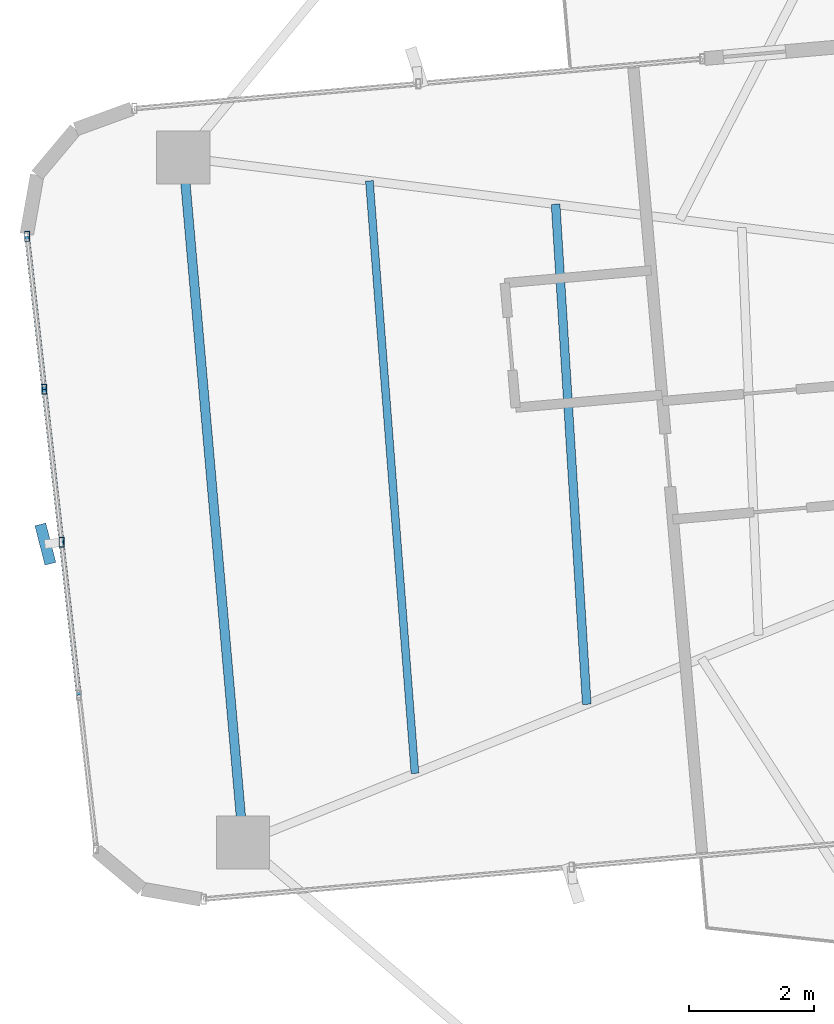
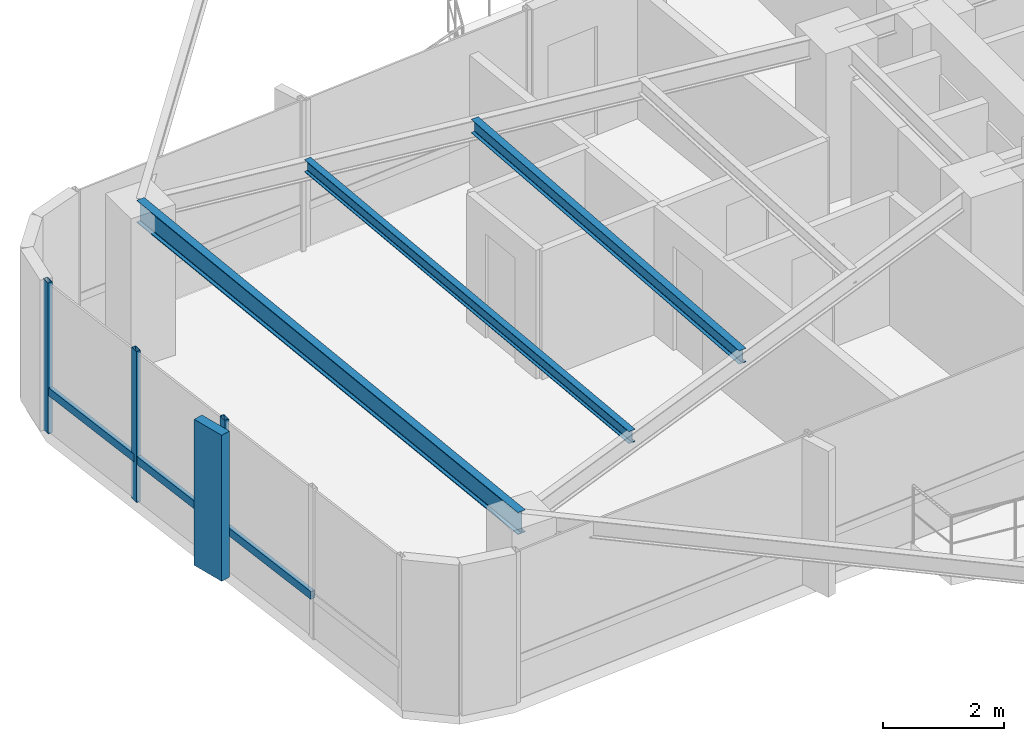
# One storey, part 8 of 24: 7 members, 3 beams, 1 element without a shape of its own.
"""IFC4 building model written with IfcOpenShell, lengths in metres."""

import ifcopenshell
import ifcopenshell.guid

model = None  # the IFC model being written
_history = None  # IfcOwnerHistory: only IFC2X3 demands one
_inside = {}  # id of a spatial element -> (the spatial element, [elements in it])
_under = {}  # id of a project, library or spatial element -> (it, [spatial elements below it])
_declared = {}  # id of a project -> (the project, [libraries it declares])
_typed = {}  # id of a type object -> (the type object, [elements of that type])
_made_of = {}  # id of a material, layer set ... -> (it, [elements and type objects made of it])


def new_model(schema):
    """Start an empty IFC model of exactly this schema.

    Asked for "IFC4X3", IfcOpenShell would pick the latest addendum, in which some entities
    have other attributes; the version numbers below select the first issue.
    IFC2X3 requires an IfcOwnerHistory on every rooted entity: one is made here for all.
    """
    global model, _history
    if schema == "IFC4X3":
        model = ifcopenshell.file(schema_version=(4, 3, 0, 0))
    else:
        model = ifcopenshell.file(schema=schema)
    _inside.clear()
    _under.clear()
    _declared.clear()
    _typed.clear()
    _made_of.clear()
    _history = None
    if model.schema == "IFC2X3":
        org = make("IfcOrganization", Name="unknown")
        user = make(
            "IfcPersonAndOrganization",
            ThePerson=make("IfcPerson", FamilyName="unknown"),
            TheOrganization=org,
        )
        app = make(
            "IfcApplication",
            ApplicationDeveloper=org,
            Version="unknown",
            ApplicationFullName="unknown",
            ApplicationIdentifier="unknown",
        )
        _history = make(
            "IfcOwnerHistory",
            OwningUser=user,
            OwningApplication=app,
            ChangeAction="ADDED",
            CreationDate=0,
        )
    return model


def make(cls, **values):
    """One entity of the class cls with the attributes given. An attribute that is None is left unset."""
    return model.create_entity(
        cls, **{name: value for name, value in values.items() if value is not None}
    )


def rooted(cls, **values):
    """An entity with a GlobalId (a new one), such as an element, a storey or a relation."""
    return make(cls, GlobalId=ifcopenshell.guid.new(), OwnerHistory=_history, **values)


def si_unit(unit_type, name, prefix=None):
    """IfcSIUnit, for example si_unit("LENGTHUNIT", "METRE", prefix="MILLI")."""
    return make("IfcSIUnit", UnitType=unit_type, Prefix=prefix, Name=name)


def assignment(units):
    """IfcUnitAssignment: the units of a project."""
    return None if units is None else make("IfcUnitAssignment", Units=units)


def point(xyz):
    """IfcCartesianPoint."""
    return None if xyz is None else make("IfcCartesianPoint", Coordinates=xyz)


def direction(xyz):
    """IfcDirection."""
    return None if xyz is None else make("IfcDirection", DirectionRatios=xyz)


def frame(location, z_axis=None, x_axis=None):
    """IfcAxis2Placement3D, a coordinate frame: its origin and axes. An axis left out is left unset."""
    return make(
        "IfcAxis2Placement3D",
        Location=point(location),
        Axis=direction(z_axis),
        RefDirection=direction(x_axis),
    )


def frame_2d(location, x_axis=None):
    """IfcAxis2Placement2D, a coordinate frame in the plane: its origin and x axis."""
    return make(
        "IfcAxis2Placement2D", Location=point(location), RefDirection=direction(x_axis)
    )


def origin():
    """The frame at (0, 0, 0) with its axes left unset."""
    return frame((0.0, 0.0, 0.0))


def origin_2d():
    """The frame at (0, 0) in the plane with its x axis left unset."""
    return frame_2d((0.0, 0.0))


def place(relative_to, where):
    """IfcLocalPlacement: puts the frame where relative to a parent placement (None: the world)."""
    return make(
        "IfcLocalPlacement", PlacementRelTo=relative_to, RelativePlacement=where
    )


def context(
    kind, dimensions, precision=None, world=None, true_north=None, identifier=None
):
    """IfcGeometricRepresentationContext, for example the 3D "Model" context."""
    return make(
        "IfcGeometricRepresentationContext",
        ContextIdentifier=identifier,
        ContextType=kind,
        CoordinateSpaceDimension=dimensions,
        Precision=precision,
        WorldCoordinateSystem=world,
        TrueNorth=true_north,
    )


def subcontext(parent, identifier, kind, view, scale=None):
    """IfcGeometricRepresentationSubContext, for example "Body" below "Model"."""
    return make(
        "IfcGeometricRepresentationSubContext",
        ContextIdentifier=identifier,
        ContextType=kind,
        ParentContext=parent,
        TargetScale=scale,
        TargetView=view,
    )


def project(units=None, contexts=None):
    """IfcProject with its units and contexts."""
    return rooted(
        "IfcProject",
        Name="project",
        RepresentationContexts=contexts,
        UnitsInContext=assignment(units),
    )


def spatial(cls, under=None, at=None, **own):
    """A site, building, storey or space (cls), placed at a placement, below another one or the project."""
    s = rooted(cls, ObjectPlacement=at, **own)
    if under is not None:
        _under.setdefault(under.id(), (under, []))[1].append(s)
    return s


def profile(cls, at=None, kind="AREA", **sizes):
    """A parametric profile (cls). Its sizes go by their IFC names, for example OverallWidth=200.0."""
    return make(cls, ProfileType=kind, Position=at, **sizes)


def rectangle(**sizes):
    """IfcRectangleProfileDef."""
    return profile("IfcRectangleProfileDef", **sizes)


def hollow_rectangle(**sizes):
    """IfcRectangleHollowProfileDef."""
    return profile("IfcRectangleHollowProfileDef", **sizes)


def i_section(**sizes):
    """IfcIShapeProfileDef."""
    return profile("IfcIShapeProfileDef", **sizes)


def extrude(swept, where, along, depth):
    """IfcExtrudedAreaSolid: the profile swept, set in the frame where, extruded along a direction by depth."""
    return make(
        "IfcExtrudedAreaSolid",
        SweptArea=swept,
        Position=where,
        ExtrudedDirection=direction(along),
        Depth=depth,
    )


def shape(context_of_items, identifier, shape_type, items):
    """IfcShapeRepresentation: the items that make up one representation, for example the "Body"."""
    return make(
        "IfcShapeRepresentation",
        ContextOfItems=context_of_items,
        RepresentationIdentifier=identifier,
        RepresentationType=shape_type,
        Items=items,
    )


def source(mapping_origin, context_of_items, identifier, shape_type, items):
    """IfcRepresentationMap: a shape defined once, which mapped items show again and again."""
    return make(
        "IfcRepresentationMap",
        MappingOrigin=mapping_origin,
        MappedRepresentation=shape(context_of_items, identifier, shape_type, items),
    )


def transform(
    local_origin,
    x_axis=None,
    y_axis=None,
    z_axis=None,
    scale=None,
    scale2=None,
    scale3=None,
    uniform=True,
):
    """IfcCartesianTransformationOperator3D, or its non-uniform kind. x_axis, y_axis, z_axis: its Axis1, 2, 3."""
    if uniform:
        return make(
            "IfcCartesianTransformationOperator3D",
            Axis1=direction(x_axis),
            Axis2=direction(y_axis),
            LocalOrigin=point(local_origin),
            Scale=scale,
            Axis3=direction(z_axis),
        )
    return make(
        "IfcCartesianTransformationOperator3DnonUniform",
        Axis1=direction(x_axis),
        Axis2=direction(y_axis),
        LocalOrigin=point(local_origin),
        Scale=scale,
        Axis3=direction(z_axis),
        Scale2=scale2,
        Scale3=scale3,
    )


def mapped(mapping_source, mapping_target):
    """IfcMappedItem: shows the shape of a source again, moved by a transform."""
    return make(
        "IfcMappedItem", MappingSource=mapping_source, MappingTarget=mapping_target
    )


def material(Name=None, Category=None):
    """IfcMaterial."""
    return make("IfcMaterial", Name=Name, Category=Category)


def material_profile(
    of_material, cross_section, Name=None, Category=None, Priority=None
):
    """IfcMaterialProfile: a cross section and its material."""
    return make(
        "IfcMaterialProfile",
        Name=Name,
        Material=of_material,
        Profile=cross_section,
        Priority=Priority,
        Category=Category,
    )


def profile_set(profiles, Name=None, composite=None):
    """IfcMaterialProfileSet."""
    return make(
        "IfcMaterialProfileSet",
        Name=Name,
        MaterialProfiles=profiles,
        CompositeProfile=composite,
    )


def made_of(thing, what):
    """Note that an element or type object is made of a material, layer set ...; save() writes the relation."""
    if what is not None:
        _made_of.setdefault(what.id(), (what, []))[1].append(thing)
    return thing


def type_object(cls, material=None, **own):
    """A type object (cls), such as IfcWallType, which elements share."""
    return made_of(rooted(cls, **own), material)


def element(
    cls,
    number,
    at=None,
    inside=None,
    cuts=None,
    type_object=None,
    material=None,
    context=None,
    identifier="Body",
    shape_type=None,
    held_by="IfcProductDefinitionShape",
    body=None,
    shapes=None,
    **own,
):
    """One element of the class cls, such as IfcWall. Its Tag is "e" and its number.

    at: its placement. inside: the storey or other place that contains it. cuts: it is an
    opening in that element (IfcRelVoidsElement). A single representation is given by context,
    identifier, shape_type and body (its items); several are given by shapes. held_by: the class
    of the entity that holds the representations. save() writes the other relations.
    """
    e = rooted(cls, Tag="e%d" % number, ObjectPlacement=at, **own)
    if body is not None:
        shapes = [shape(context, identifier, shape_type, body)]
    if shapes is not None:
        e.Representation = make(held_by, Representations=shapes)
    if inside is not None:
        _inside.setdefault(inside.id(), (inside, []))[1].append(e)
    if cuts is not None:
        rooted(
            "IfcRelVoidsElement", RelatingBuildingElement=cuts, RelatedOpeningElement=e
        )
    if type_object is not None:
        _typed.setdefault(type_object.id(), (type_object, []))[1].append(e)
    return made_of(e, material)


def aggregate(whole, parts):
    """IfcRelAggregates: a whole, such as a stair, and the parts it consists of."""
    return rooted("IfcRelAggregates", RelatingObject=whole, RelatedObjects=parts)


def save(model, path):
    """Write the relations noted so far, then the file.

    IfcRelAggregates (storeys below a building ...), IfcRelContainedInSpatialStructure (elements
    in a storey), IfcRelDefinesByType, IfcRelAssociatesMaterial and IfcRelDeclares: one each for
    every whole, place, type object, material and project.
    """
    for whole, parts in _under.values():
        aggregate(whole, parts)
    for where, things in _inside.values():
        rooted(
            "IfcRelContainedInSpatialStructure",
            RelatedElements=things,
            RelatingStructure=where,
        )
    for kind, things in _typed.values():
        rooted("IfcRelDefinesByType", RelatedObjects=things, RelatingType=kind)
    for what, things in _made_of.values():
        rooted("IfcRelAssociatesMaterial", RelatedObjects=things, RelatingMaterial=what)
    for by, libraries in _declared.values():
        rooted("IfcRelDeclares", RelatingContext=by, RelatedDefinitions=libraries)
    model.write(path)


model = new_model("IFC4")

# Units and contexts
model_context = context("Model", 3, precision=1e-05, world=origin(), true_north=direction((0.0, 1.0)))
body_context = subcontext(model_context, "Body", "Model", "MODEL_VIEW")
ifc_project = project(units=[si_unit("LENGTHUNIT", "METRE"), si_unit("AREAUNIT", "SQUARE_METRE"), si_unit("VOLUMEUNIT", "CUBIC_METRE"), si_unit("PLANEANGLEUNIT", "RADIAN"), si_unit("MASSUNIT", "GRAM", prefix="KILO")], contexts=[model_context])

# Site, building, storey
site_placement = place(None, origin())
site = spatial("IfcSite", under=ifc_project, at=site_placement, CompositionType="ELEMENT")
building_placement = place(site_placement, origin())
building = spatial("IfcBuilding", under=site, at=building_placement, Name="Sahyath Konkavel Grand Hotel", CompositionType="ELEMENT")
storey_placement = place(building_placement, frame((0.0, 0.0, 167.35009765625)))
storey = spatial("IfcBuildingStorey", under=building, at=storey_placement, Name="L46", CompositionType="ELEMENT", Elevation=167.35009765625)

# Beams
ifc_material_1 = material(Name="Steel E350", Category="steel")
ifc_material_profile_1 = material_profile(ifc_material_1, i_section(OverallWidth=0.14990234375, OverallDepth=0.449951171875, WebThickness=0.009521484375, FlangeThickness=0.017333984375, FilletRadius=0.014892578125, at=origin_2d()), Name="ISMB 450")
ifc_profile_set_1 = profile_set([ifc_material_profile_1], Name="Steel E350")
beam_type_1 = type_object("IfcBeamType", Name="BM-ISMB450", PredefinedType="BEAM", material=ifc_profile_set_1)
shared_shape_1 = source(origin(), body_context, "Body", "SweptSolid", [
    extrude(i_section(OverallWidth=0.14990234375, OverallDepth=0.449951171875, WebThickness=0.009521484375, FlangeThickness=0.017333984375, FilletRadius=0.014892578125, at=origin_2d()), origin(), (0.0, 0.0, 1.0), 11.0),
])
beam_1_placement = place(storey_placement, frame((-17.912841796875, 3.953857421875, 2.824951171875), z_axis=(0.087157314015, -0.996194560622, 0.0), x_axis=(0.996194560622, 0.087157314015, 0.0)))
element("IfcBeam", 1, at=beam_1_placement, inside=storey, type_object=beam_type_1, Name="L46 Wing Tip Edge Beam W", PredefinedType="BEAM", context=body_context, shape_type="MappedRepresentation", body=[
    mapped(shared_shape_1, transform((0.0, 0.0, 0.0), scale=1.0)),
])
ifc_material_profile_2 = material_profile(ifc_material_1, i_section(OverallWidth=0.139892578125, OverallDepth=0.27490234375, WebThickness=0.00634765625, FlangeThickness=0.0087890625, FilletRadius=0.012939453125, at=origin_2d()), Name="ISLB 275")
ifc_profile_set_2 = profile_set([ifc_material_profile_2], Name="Steel E350")
beam_type_2 = type_object("IfcBeamType", Name="BM-ISLB275", PredefinedType="BEAM", material=ifc_profile_set_2)
shared_shape_2 = source(origin(), body_context, "Body", "SweptSolid", [
    extrude(i_section(OverallWidth=0.139892578125, OverallDepth=0.27490234375, WebThickness=0.00634765625, FlangeThickness=0.0087890625, FilletRadius=0.012939453125, at=origin_2d()), origin(), (0.0, 0.0, 1.0), 8.017822265625),
])
beam_2_placement = place(storey_placement, frame((-11.95458984375, 3.2080078125, 2.912353515625), z_axis=(0.062179233264, -0.998064999362, 0.0), x_axis=(0.998064999362, 0.062179233264, 0.0)))
element("IfcBeam", 2, at=beam_2_placement, inside=storey, type_object=beam_type_2, Name="L46 Secondary Floor Beam W-2", PredefinedType="BEAM", context=body_context, shape_type="MappedRepresentation", body=[
    mapped(shared_shape_2, transform((0.0, 0.0, 0.0), scale=1.0)),
])
ifc_material_profile_3 = material_profile(ifc_material_1, i_section(OverallWidth=0.125, OverallDepth=0.25, WebThickness=0.0068359375, FlangeThickness=0.012451171875, FilletRadius=0.012939453125, at=origin_2d()), Name="ISMB 250")
ifc_profile_set_3 = profile_set([ifc_material_profile_3], Name="Steel E350")
beam_type_3 = type_object("IfcBeamType", Name="BM-ISMB250", PredefinedType="BEAM", material=ifc_profile_set_3)
shared_shape_3 = source(origin(), body_context, "Body", "SweptSolid", [
    extrude(i_section(OverallWidth=0.125, OverallDepth=0.25, WebThickness=0.0068359375, FlangeThickness=0.012451171875, FilletRadius=0.012939453125, at=origin_2d()), origin(), (0.0, 0.0, 1.0), 9.508056640625),
])
beam_3_placement = place(storey_placement, frame((-14.93359375, 3.580810546875, 2.9248046875), z_axis=(0.076619921029, -0.997060373148, 0.0), x_axis=(0.997060373148, 0.076619921029, 0.0)))
element("IfcBeam", 3, at=beam_3_placement, inside=storey, type_object=beam_type_3, Name="L46 Secondary Floor Beam W-3", PredefinedType="BEAM", context=body_context, shape_type="MappedRepresentation", body=[
    mapped(shared_shape_3, transform((0.0, 0.0, 0.0), scale=1.0)),
])

# Curtain wall, members
ifc_material_2 = material(Name="Anodised Bronze Aluminium & Low-E Glazing", Category="aluminium")
curtain_wall_type = type_object("IfcCurtainWallType", Name="CW-ZONE3", PredefinedType="NOTDEFINED", material=ifc_material_2)
curtain_wall_placement = place(storey_placement, origin())
curtain_wall = element("IfcCurtainWall", 4, at=curtain_wall_placement, inside=storey, type_object=curtain_wall_type, Name="L46 Unitised Curtain Wall F20", PredefinedType="NOTDEFINED")
ifc_material_3 = material(Name="Anodised Bronze Aluminium", Category="aluminium")
ifc_material_profile_4 = material_profile(ifc_material_3, hollow_rectangle(XDim=0.080078125, YDim=0.159912109375, WallThickness=0.006103515625, at=origin_2d()), Name="RHS 160x80x6")
ifc_profile_set_4 = profile_set([ifc_material_profile_4], Name="Anodised Bronze Aluminium")
member_type_1 = type_object("IfcMemberType", Name="CW-MUL-160", PredefinedType="MULLION", material=ifc_profile_set_4)
shared_shape_4 = source(origin(), body_context, "Body", "SweptSolid", [
    extrude(hollow_rectangle(XDim=0.080078125, YDim=0.159912109375, WallThickness=0.006103515625, at=origin_2d()), origin(), (0.0, 0.0, 1.0), 3.0498046875),
])
member_1_placement = place(storey_placement, frame((-20.4111328125, 2.69140625, 0.0), z_axis=(0.0, 0.0, 1.0), x_axis=(1.0, 0.0, 0.0)))
member_1 = element("IfcMember", 5, at=member_1_placement, type_object=member_type_1, Name="L46 Curtain Wall Mullion F20-0", PredefinedType="MULLION", context=body_context, shape_type="MappedRepresentation", body=[
    mapped(shared_shape_4, transform((0.0, 0.0, 0.0), scale=1.0)),
])
member_2_placement = place(storey_placement, frame((-20.135498046875, 0.24462890625, 0.0), z_axis=(0.0, 0.0, 1.0), x_axis=(1.0, 0.0, 0.0)))
member_2 = element("IfcMember", 6, at=member_2_placement, type_object=member_type_1, Name="L46 Curtain Wall Mullion F20-1", PredefinedType="MULLION", context=body_context, shape_type="MappedRepresentation", body=[
    mapped(shared_shape_4, transform((0.0, 0.0, 0.0), scale=1.0)),
])
member_3_placement = place(storey_placement, frame((-19.859619140625, -2.201904296875, 0.0), z_axis=(0.0, 0.0, 1.0), x_axis=(1.0, 0.0, 0.0)))
member_3 = element("IfcMember", 7, at=member_3_placement, type_object=member_type_1, Name="L46 Curtain Wall Mullion F20-2", PredefinedType="MULLION", context=body_context, shape_type="MappedRepresentation", body=[
    mapped(shared_shape_4, transform((0.0, 0.0, 0.0), scale=1.0)),
])
ifc_material_4 = material(Name="Warm Buff Sandstone Cladding on Concrete C50/60", Category="masonry")
ifc_material_profile_5 = material_profile(ifc_material_4, rectangle(XDim=0.179931640625, YDim=0.64990234375, at=origin_2d()), Name="FIN 180x650")
ifc_profile_set_5 = profile_set([ifc_material_profile_5], Name="Warm Buff Sandstone Cladding on Concrete C50/60")
member_type_2 = type_object("IfcMemberType", Name="FIN-SANDSTONE-650", PredefinedType="MULLION", material=ifc_profile_set_5)
shared_shape_5 = source(origin(), body_context, "Body", "SweptSolid", [
    extrude(rectangle(XDim=0.179931640625, YDim=0.64990234375, at=origin_2d()), origin(), (0.0, 0.0, 1.0), 2.9501953125),
])
member_4_placement = place(storey_placement, frame((-20.1181640625, -2.23095703125, 0.0498046875), z_axis=(0.0, 0.0, 1.0), x_axis=(0.96862655095, 0.248520833726, 0.0)))
member_4 = element("IfcMember", 8, at=member_4_placement, type_object=member_type_2, Name="L46 Sandstone Vertical Solar Fin FIN F20-2", PredefinedType="MULLION", context=body_context, shape_type="MappedRepresentation", body=[
    mapped(shared_shape_5, transform((0.0, 0.0, 0.0), scale=1.0)),
])
ifc_material_profile_6 = material_profile(ifc_material_3, hollow_rectangle(XDim=0.080078125, YDim=0.159912109375, WallThickness=0.006103515625, at=origin_2d()), Name="RHS 160x80x6")
ifc_profile_set_6 = profile_set([ifc_material_profile_6], Name="Anodised Bronze Aluminium")
member_type_3 = type_object("IfcMemberType", Name="CW-TRN-160", PredefinedType="USERDEFINED", material=ifc_profile_set_6)
shared_shape_6 = source(origin(), body_context, "Body", "SweptSolid", [
    extrude(hollow_rectangle(XDim=0.080078125, YDim=0.159912109375, WallThickness=0.006103515625, at=origin_2d()), origin(), (0.0, 0.0, 1.0), 2.462158203125),
])
member_5_placement = place(storey_placement, frame((-20.4111328125, 2.69140625, 0.849853515625), z_axis=(0.11194409079, -0.993714506555, 0.0), x_axis=(0.993714506555, 0.11194409079, 0.0)))
member_5 = element("IfcMember", 9, at=member_5_placement, type_object=member_type_3, Name="L46 Curtain Wall Transom F20-0-spandrel", ObjectType="TRANSOM", PredefinedType="USERDEFINED", context=body_context, shape_type="MappedRepresentation", body=[
    mapped(shared_shape_6, transform((0.0, 0.0, 0.0), scale=1.0)),
])
member_6_placement = place(storey_placement, frame((-20.135498046875, 0.24462890625, 0.849853515625), z_axis=(0.112053040279, -0.99370222711, 0.0), x_axis=(0.99370222711, 0.112053040279, 0.0)))
member_6 = element("IfcMember", 10, at=member_6_placement, type_object=member_type_3, Name="L46 Curtain Wall Transom F20-1-spandrel", ObjectType="TRANSOM", PredefinedType="USERDEFINED", context=body_context, shape_type="MappedRepresentation", body=[
    mapped(shared_shape_6, transform((0.0, 0.0, 0.0), scale=1.0)),
])
shared_shape_7 = source(origin(), body_context, "Body", "SweptSolid", [
    extrude(hollow_rectangle(XDim=0.080078125, YDim=0.159912109375, WallThickness=0.006103515625, at=origin_2d()), origin(), (0.0, 0.0, 1.0), 2.461669921875),
])
member_7_placement = place(storey_placement, frame((-19.859619140625, -2.201904296875, 0.849853515625), z_axis=(0.111966154832, -0.993712020744, 0.0), x_axis=(0.993712020744, 0.111966154832, 0.0)))
member_7 = element("IfcMember", 11, at=member_7_placement, type_object=member_type_3, Name="L46 Curtain Wall Transom F20-2-spandrel", ObjectType="TRANSOM", PredefinedType="USERDEFINED", context=body_context, shape_type="MappedRepresentation", body=[
    mapped(shared_shape_7, transform((0.0, 0.0, 0.0), scale=1.0)),
])
aggregate(curtain_wall, [member_1, member_2, member_3, member_4, member_5, member_6, member_7])

save(model, "model.ifc")
